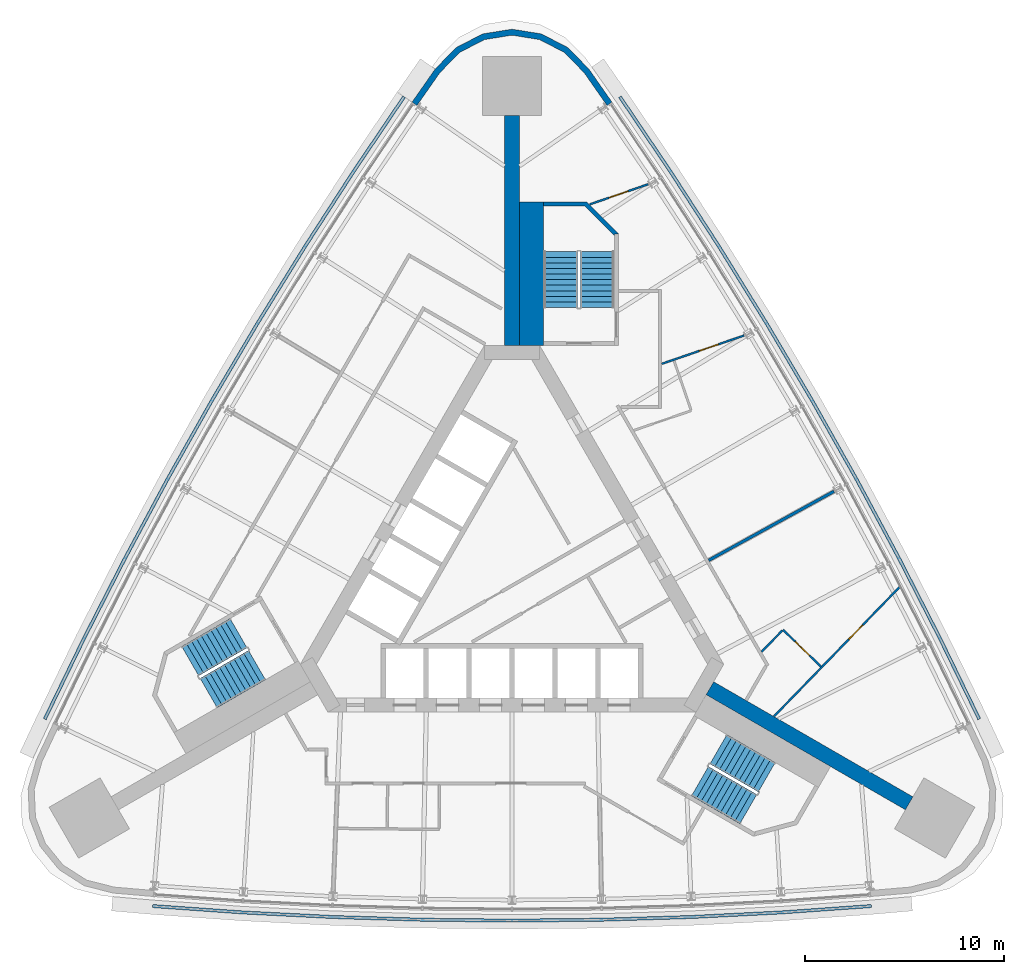
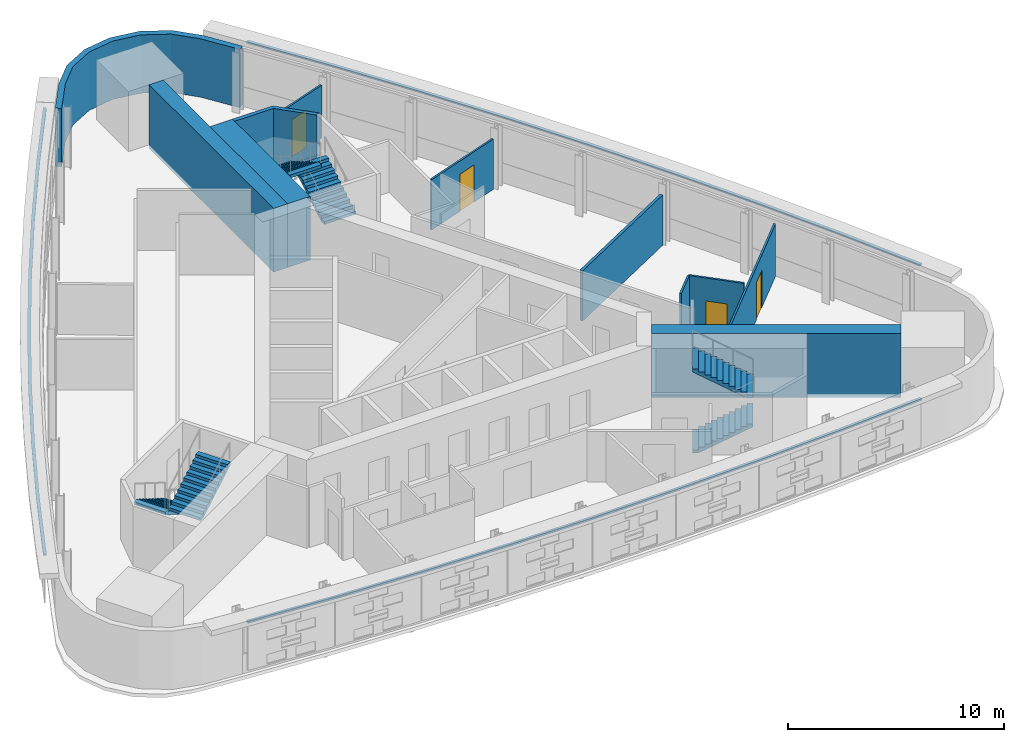
# One storey, part 9 of 11: 11 walls, 6 stair flights, 4 doors, 3 discrete accessories, 4 openings, 3 elements without a shape of their own.
"""IFC4 building model written with IfcOpenShell, lengths in metres."""

from ifc_helpers import new_model, si_unit, direction, frame, frame_2d, origin, place, context, subcontext, project, spatial, polyline, rectangle, outline, extrude, material, layer, layer_set, type_object, element, fill, aggregate, save


model = new_model("IFC4")

# Units and contexts
model_context = context("Model", 3, precision=1e-05, world=origin(), true_north=direction((0.0, 1.0)))
body_context = subcontext(model_context, "Body", "Model", "MODEL_VIEW")
ifc_project = project(units=[si_unit("LENGTHUNIT", "METRE"), si_unit("AREAUNIT", "SQUARE_METRE"), si_unit("VOLUMEUNIT", "CUBIC_METRE"), si_unit("PLANEANGLEUNIT", "RADIAN"), si_unit("MASSUNIT", "GRAM", prefix="KILO")], contexts=[model_context])

# Site, building, storey
site_placement = place(None, origin())
site = spatial("IfcSite", under=ifc_project, at=site_placement, CompositionType="ELEMENT")
building_placement = place(site_placement, origin())
building = spatial("IfcBuilding", under=site, at=building_placement, Name="Noor Cloister Tower", CompositionType="ELEMENT")
storey_placement = place(building_placement, frame((0.0, 0.0, 116.699951171875)))
storey = spatial("IfcBuildingStorey", under=building, at=storey_placement, Name="L30", CompositionType="ELEMENT", Elevation=116.699951171875)

# Walls
ifc_material_1 = material(Name="Concrete C80/95", Category="concrete")
ifc_layer_1 = layer(ifc_material_1, 0.75)
ifc_layer_set_1 = layer_set([ifc_layer_1], Name="Buttress wall 750 C80/95")
wall_type_1 = type_object("IfcWallType", Name="Buttress wall 750 C80/95", PredefinedType="SHEAR", material=ifc_layer_set_1)
wall_1_placement = place(storey_placement, frame((0.0, 11.456298828125, -0.199951171875), z_axis=(0.0, 0.0, 1.0), x_axis=(0.0, 1.0, 0.0)))
element("IfcWall", 1, at=wall_1_placement, inside=storey, type_object=wall_type_1, Name="Buttress wall N L30", PredefinedType="SHEAR", context=body_context, shape_type="SweptSolid", body=[
    extrude(rectangle(XDim=11.538818359375, YDim=0.75, at=frame_2d((5.76953125, 0.0))), origin(), (0.0, 0.0, 1.0), 3.60009765625),
])
wall_2_placement = place(storey_placement, frame((9.921630859375, -5.728271484375, -0.199951171875), z_axis=(0.0, 0.0, 1.0), x_axis=(0.866024913782, -0.500000848707, 0.0)))
element("IfcWall", 2, at=wall_2_placement, inside=storey, type_object=wall_type_1, Name="Buttress wall SE L30", PredefinedType="SHEAR", context=body_context, shape_type="SweptSolid", body=[
    extrude(rectangle(XDim=11.53857421875, YDim=0.75, at=frame_2d((5.769287109375, 0.0))), origin(), (0.0, 0.0, 1.0), 3.60009765625),
])
ifc_material_2 = material(Name="Gypsum board partition on steel studs, 150 mm", Category="steel")
ifc_layer_2 = layer(ifc_material_2, 0.14990234375)
ifc_layer_set_2 = layer_set([ifc_layer_2], Name="Flat wall 150")
wall_type_2 = type_object("IfcWallType", Name="Flat wall 150", PredefinedType="PARTITIONING", material=ifc_layer_set_2)
wall_3_placement = place(storey_placement, frame((16.14453125, 4.14404296875, 0.0), z_axis=(0.0, 0.0, 1.0), x_axis=(-0.875990246448, -0.482328817434, 0.0)))
element("IfcWall", 3, at=wall_3_placement, inside=storey, type_object=wall_type_2, Name="Flat wall 150 L30 016", PredefinedType="PARTITIONING", context=body_context, shape_type="SweptSolid", body=[
    extrude(rectangle(XDim=7.175537109375, YDim=0.14990234375, at=frame_2d((3.587890625, 0.0))), origin(), (0.0, 0.0, 1.0), 2.84716796875),
])
ifc_material_3 = material(Name="Limestone", Category="masonry")
ifc_layer_3 = layer(ifc_material_3, 0.300048828125)
ifc_layer_set_3 = layer_set([ifc_layer_3], Name="Limestone cladding 300")
wall_type_3 = type_object("IfcWallType", Name="Limestone cladding 300", PredefinedType="NOTDEFINED", material=ifc_layer_set_3)
wall_4_placement = place(storey_placement, origin())
element("IfcWall", 4, at=wall_4_placement, inside=storey, type_object=wall_type_3, Name="Limestone pier cladding L30 3.1", PredefinedType="NOTDEFINED", context=body_context, shape_type="SweptSolid", body=[
    extrude(outline(polyline([(5.0126953125, 23.65576171875), (3.853271484375, 25.31689453125), (2.807373046875, 26.38818359375), (1.478271484375, 27.07763671875), (0.0, 27.3154296875), (-1.478271484375, 27.07763671875), (-2.807373046875, 26.38818359375), (-3.853271484375, 25.31689453125), (-5.0126953125, 23.65576171875), (-4.7666015625, 23.484130859375), (-3.621337890625, 25.125), (-2.62646484375, 26.14404296875), (-1.3828125, 26.7890625), (0.0, 27.011474609375), (1.3828125, 26.7890625), (2.62646484375, 26.14404296875), (3.621337890625, 25.125), (4.7666015625, 23.484130859375), (5.0126953125, 23.65576171875)])), origin(), (0.0, 0.0, 1.0), 3.300048828125),
])

# Wall, opening, door
ifc_material_4 = material(Name="Gypsum board partition on steel studs, 100 mm", Category="steel")
ifc_layer_4 = layer(ifc_material_4, 0.10009765625)
ifc_layer_set_4 = layer_set([ifc_layer_4], Name="Partition 100")
wall_type_4 = type_object("IfcWallType", Name="Partition 100", PredefinedType="PARTITIONING", material=ifc_layer_set_4)
wall_5_placement = place(storey_placement, frame((19.424560546875, -0.662353515625, 0.0), z_axis=(0.0, 0.0, 1.0), x_axis=(-0.696698602336, -0.717363964458, 0.0)))
wall_5 = element("IfcWall", 5, at=wall_5_placement, inside=storey, type_object=wall_type_4, Name="Partition 100 L30 021", PredefinedType="PARTITIONING", context=body_context, shape_type="SweptSolid", body=[
    extrude(rectangle(XDim=9.02587890625, YDim=0.10009765625, at=frame_2d((4.512939453125, 0.0))), origin(), (0.0, 0.0, 1.0), 2.97412109375),
])
opening_1_placement = place(wall_5_placement, frame((2.642578125, 0.0, 0.0)))
opening_1 = element("IfcOpeningElement", 6, at=opening_1_placement, cuts=wall_5, Name="Opening L30-012", PredefinedType="OPENING", context=body_context, shape_type="SweptSolid", body=[
    extrude(rectangle(XDim=1.0, YDim=2.10009765625, at=frame_2d((0.5, 1.050048828125))), frame((0.0, 0.06005859375, 0.0), z_axis=(0.0, -1.0, 0.0), x_axis=(1.0, 0.0, 0.0)), (0.0, 0.0, 1.0), 0.1201171875),
])
ifc_material_5 = material(Name="Timber door leaf with steel frame", Category="steel")
door_type = type_object("IfcDoorType", Name="Interior door 1000", OperationType="NOTDEFINED", PredefinedType="DOOR", material=ifc_material_5)
door_1_placement = place(opening_1_placement, origin())
door_1 = element("IfcDoor", 7, at=door_1_placement, inside=storey, type_object=door_type, Name="Interior door 1000 L30-012", OperationType="SINGLE_SWING_LEFT", OverallHeight=2.10009765625, OverallWidth=1.0, PredefinedType="DOOR", context=body_context, shape_type="SweptSolid", body=[
    extrude(rectangle(XDim=1.0, YDim=2.10009765625, at=frame_2d((0.5, 1.050048828125))), frame((0.0, 0.02490234375, 0.0), z_axis=(0.0, -1.0, 0.0), x_axis=(1.0, 0.0, 0.0)), (0.0, 0.0, 1.0), 0.050048828125),
])
fill(opening_1, door_1)

wall_6_placement = place(storey_placement, frame((7.501953125, 10.53369140625, 0.0), z_axis=(0.0, 0.0, 1.0), x_axis=(0.945553375074, 0.325467071893, 0.0)))
wall_6 = element("IfcWall", 8, at=wall_6_placement, inside=storey, type_object=wall_type_4, Name="Partition 100 L30 023", PredefinedType="PARTITIONING", context=body_context, shape_type="SweptSolid", body=[
    extrude(rectangle(XDim=4.36865234375, YDim=0.10009765625, at=frame_2d((2.184326171875, 0.0))), origin(), (0.0, 0.0, 1.0), 2.84716796875),
])
opening_2_placement = place(wall_6_placement, frame((1.998291015625, 0.0, 0.0)))
opening_2 = element("IfcOpeningElement", 9, at=opening_2_placement, cuts=wall_6, Name="Opening L30-013", PredefinedType="OPENING", context=body_context, shape_type="SweptSolid", body=[
    extrude(rectangle(XDim=1.0, YDim=2.10009765625, at=frame_2d((0.5, 1.050048828125))), frame((0.0, 0.06005859375, 0.0), z_axis=(0.0, -1.0, 0.0), x_axis=(1.0, 0.0, 0.0)), (0.0, 0.0, 1.0), 0.1201171875),
])
door_2_placement = place(opening_2_placement, origin())
door_2 = element("IfcDoor", 10, at=door_2_placement, inside=storey, type_object=door_type, Name="Interior door 1000 L30-013", OperationType="SINGLE_SWING_RIGHT", OverallHeight=2.10009765625, OverallWidth=1.0, PredefinedType="DOOR", context=body_context, shape_type="SweptSolid", body=[
    extrude(rectangle(XDim=1.0, YDim=2.10009765625, at=frame_2d((0.5, 1.050048828125))), frame((0.0, 0.02490234375, 0.0), z_axis=(0.0, -1.0, 0.0), x_axis=(1.0, 0.0, 0.0)), (0.0, 0.0, 1.0), 0.050048828125),
])
fill(opening_2, door_2)

wall_7_placement = place(storey_placement, frame((3.893310546875, 18.529541015625, 0.0), z_axis=(0.0, 0.0, 1.0), x_axis=(0.945532429383, 0.325527917366, 0.0)))
wall_7 = element("IfcWall", 11, at=wall_7_placement, inside=storey, type_object=wall_type_4, Name="Partition 100 L30 024", PredefinedType="PARTITIONING", context=body_context, shape_type="SweptSolid", body=[
    extrude(rectangle(XDim=3.105712890625, YDim=0.10009765625, at=frame_2d((1.552734375, 0.0))), origin(), (0.0, 0.0, 1.0), 2.97412109375),
])
opening_3_placement = place(wall_7_placement, frame((1.04052734375, 0.0, 0.0)))
opening_3 = element("IfcOpeningElement", 12, at=opening_3_placement, cuts=wall_7, Name="Opening L30-014", PredefinedType="OPENING", context=body_context, shape_type="SweptSolid", body=[
    extrude(rectangle(XDim=1.0, YDim=2.10009765625, at=frame_2d((0.5, 1.050048828125))), frame((0.0, 0.06005859375, 0.0), z_axis=(0.0, -1.0, 0.0), x_axis=(1.0, 0.0, 0.0)), (0.0, 0.0, 1.0), 0.1201171875),
])
door_3_placement = place(opening_3_placement, origin())
door_3 = element("IfcDoor", 13, at=door_3_placement, inside=storey, type_object=door_type, Name="Interior door 1000 L30-014", OperationType="SINGLE_SWING_LEFT", OverallHeight=2.10009765625, OverallWidth=1.0, PredefinedType="DOOR", context=body_context, shape_type="SweptSolid", body=[
    extrude(rectangle(XDim=1.0, YDim=2.10009765625, at=frame_2d((0.5, 1.050048828125))), frame((0.0, 0.02490234375, 0.0), z_axis=(0.0, -1.0, 0.0), x_axis=(1.0, 0.0, 0.0)), (0.0, 0.0, 1.0), 0.050048828125),
])
fill(opening_3, door_3)

wall_8_placement = place(storey_placement, frame((15.489013671875, -4.642578125, 0.0), z_axis=(0.0, 0.0, 1.0), x_axis=(-0.717350421595, 0.696712546635, 0.0)))
wall_8 = element("IfcWall", 14, at=wall_8_placement, inside=storey, type_object=wall_type_4, Name="Partition 100 L30 027", PredefinedType="PARTITIONING", context=body_context, shape_type="SweptSolid", body=[
    extrude(rectangle(XDim=2.64990234375, YDim=0.10009765625, at=frame_2d((1.324951171875, 0.0))), origin(), (0.0, 0.0, 1.0), 3.400146484375),
])
opening_4_placement = place(wall_8_placement, frame((0.800048828125, 0.0, 0.0)))
opening_4 = element("IfcOpeningElement", 15, at=opening_4_placement, cuts=wall_8, Name="Opening L30-016", PredefinedType="OPENING", context=body_context, shape_type="SweptSolid", body=[
    extrude(rectangle(XDim=1.0, YDim=2.10009765625, at=frame_2d((0.5, 1.050048828125))), frame((0.0, 0.06005859375, 0.0), z_axis=(0.0, -1.0, 0.0), x_axis=(1.0, 0.0, 0.0)), (0.0, 0.0, 1.0), 0.1201171875),
])
door_4_placement = place(opening_4_placement, origin())
door_4 = element("IfcDoor", 16, at=door_4_placement, inside=storey, type_object=door_type, Name="Interior door 1000 L30-016", OperationType="SINGLE_SWING_LEFT", OverallHeight=2.10009765625, OverallWidth=1.0, PredefinedType="DOOR", context=body_context, shape_type="SweptSolid", body=[
    extrude(rectangle(XDim=1.0, YDim=2.10009765625, at=frame_2d((0.5, 1.050048828125))), frame((0.0, 0.02490234375, 0.0), z_axis=(0.0, -1.0, 0.0), x_axis=(1.0, 0.0, 0.0)), (0.0, 0.0, 1.0), 0.050048828125),
])
fill(opening_4, door_4)

# Walls
wall_9_placement = place(storey_placement, frame((12.51806640625, -3.898193359375, 0.0), z_axis=(0.0, 0.0, 1.0), x_axis=(0.69667940227, 0.717382610922, 0.0)))
element("IfcWall", 17, at=wall_9_placement, inside=storey, type_object=wall_type_4, Name="Partition 100 L30 030", PredefinedType="PARTITIONING", context=body_context, shape_type="SweptSolid", body=[
    extrude(rectangle(XDim=1.48583984375, YDim=0.10009765625, at=frame_2d((0.742919921875, 0.0))), origin(), (0.0, 0.0, 1.0), 3.400146484375),
])
ifc_material_6 = material(Name="Concrete C80/95", Category="concrete")
ifc_layer_5 = layer(ifc_material_6, 1.2109375)
ifc_layer_set_5 = layer_set([ifc_layer_5], Name="Stair enclosure wall 1211 C80/95")
wall_type_5 = type_object("IfcWallType", Name="Stair enclosure wall 1211 C80/95", PredefinedType="SHEAR", material=ifc_layer_set_5)
wall_10_placement = place(storey_placement, frame((0.980224609375, 11.456298828125, -0.199951171875), z_axis=(0.0, 0.0, 1.0), x_axis=(0.0, 1.0, 0.0)))
element("IfcWall", 18, at=wall_10_placement, inside=storey, type_object=wall_type_5, Name="Stair enclosure wall ST1 L30 riser side", PredefinedType="SHEAR", context=body_context, shape_type="SweptSolid", body=[
    extrude(rectangle(XDim=7.2001953125, YDim=1.210693359375, at=frame_2d((3.60009765625, 0.0))), origin(), (0.0, 0.0, 1.0), 3.60009765625),
])
ifc_material_7 = material(Name="Concrete C80/95", Category="concrete")
wall_type_6 = type_object("IfcWallType", Name="Stair far end wall C80/95", PredefinedType="SHEAR", material=ifc_material_7)
wall_11_placement = place(storey_placement, frame((0.0, 0.0, -0.199951171875)))
element("IfcWall", 19, at=wall_11_placement, inside=storey, type_object=wall_type_6, Name="Stair enclosure wall ST1 L30 far end", PredefinedType="SHEAR", context=body_context, shape_type="SweptSolid", body=[
    extrude(outline(polyline([(5.335693359375, 17.056396484375), (3.735595703125, 18.656494140625), (1.585693359375, 18.656494140625), (1.585693359375, 18.456298828125), (3.65283203125, 18.456298828125), (5.135498046875, 16.9736328125), (5.135498046875, 17.056396484375), (5.135498046875, 17.056396484375), (5.135498046875, 17.056396484375), (5.135498046875, 17.056396484375), (5.135498046875, 17.056396484375), (5.135498046875, 17.056396484375), (5.135498046875, 17.056396484375), (5.135498046875, 17.056396484375), (5.135498046875, 17.056396484375), (5.135498046875, 17.056396484375), (5.135498046875, 17.056396484375), (5.135498046875, 17.056396484375), (5.135498046875, 17.056396484375), (5.135498046875, 17.056396484375), (5.135498046875, 17.056396484375), (5.135498046875, 17.056396484375), (5.135498046875, 17.056396484375), (5.335693359375, 17.056396484375)])), origin(), (0.0, 0.0, 1.0), 3.60009765625),
])

# Stair, stair flights
ifc_material_8 = material(Name="Concrete C40/50", Category="concrete")
stair_type = type_object("IfcStairType", Name="Exit stair 22 risers", PredefinedType="HALF_TURN_STAIR", material=ifc_material_8)
stair_1_placement = place(storey_placement, origin())
stair_1 = element("IfcStair", 20, at=stair_1_placement, inside=storey, type_object=stair_type, Name="Exit stair ST1 L30", PredefinedType="HALF_TURN_STAIR")
ifc_material_9 = material(Name="Concrete C40/50", Category="concrete")
stair_flight_type = type_object("IfcStairFlightType", Name="Exit stair flight", PredefinedType="STRAIGHT", material=ifc_material_9)
stair_flight_1_placement = place(storey_placement, frame((4.28564453125, 13.3564453125, 0.0), z_axis=(0.0, 0.0, 1.0), x_axis=(0.0, 1.0, 0.0)))
stair_flight_1 = element("IfcStairFlight", 21, at=stair_flight_1_placement, type_object=stair_flight_type, Name="ST1 flight 1", NumberOfRisers=11, NumberOfTreads=10, PredefinedType="STRAIGHT", RiserHeight=0.163636364, TreadLength=0.28, context=body_context, shape_type="SweptSolid", body=[
    extrude(outline(polyline([(0.0, 0.0), (0.0, 0.16357421875), (0.280029296875, 0.16357421875), (0.280029296875, 0.327392578125), (0.56005859375, 0.327392578125), (0.56005859375, 0.490966796875), (0.840087890625, 0.490966796875), (0.840087890625, 0.654541015625), (1.1201171875, 0.654541015625), (1.1201171875, 0.818115234375), (1.39990234375, 0.818115234375), (1.39990234375, 0.98193359375), (1.679931640625, 0.98193359375), (1.679931640625, 1.1455078125), (1.9599609375, 1.1455078125), (1.9599609375, 1.30908203125), (2.239990234375, 1.30908203125), (2.239990234375, 1.47265625), (2.52001953125, 1.47265625), (2.52001953125, 1.636474609375), (2.800048828125, 1.636474609375), (2.800048828125, 1.800048828125), (2.800048828125, 1.462646484375), (0.297119140625, 0.0), (0.0, 0.0)])), frame((0.0, 0.85009765625, 0.0), z_axis=(0.0, -1.0, 0.0), x_axis=(1.0, 0.0, 0.0)), (0.0, 0.0, 1.0), 1.699951171875),
])
stair_flight_2_placement = place(storey_placement, frame((2.435546875, 16.156494140625, 1.800048828125), z_axis=(0.0, 0.0, 1.0), x_axis=(0.0, -1.0, 0.0)))
stair_flight_2 = element("IfcStairFlight", 22, at=stair_flight_2_placement, type_object=stair_flight_type, Name="ST1 flight 2", NumberOfRisers=11, NumberOfTreads=10, PredefinedType="STRAIGHT", RiserHeight=0.163636364, TreadLength=0.28, context=body_context, shape_type="SweptSolid", body=[
    extrude(outline(polyline([(0.0, 0.0), (0.0, 0.16357421875), (0.280029296875, 0.16357421875), (0.280029296875, 0.327392578125), (0.56005859375, 0.327392578125), (0.56005859375, 0.490966796875), (0.840087890625, 0.490966796875), (0.840087890625, 0.654541015625), (1.1201171875, 0.654541015625), (1.1201171875, 0.818115234375), (1.39990234375, 0.818115234375), (1.39990234375, 0.98193359375), (1.679931640625, 0.98193359375), (1.679931640625, 1.1455078125), (1.9599609375, 1.1455078125), (1.9599609375, 1.30908203125), (2.239990234375, 1.30908203125), (2.239990234375, 1.47265625), (2.52001953125, 1.47265625), (2.52001953125, 1.636474609375), (2.800048828125, 1.636474609375), (2.800048828125, 1.800048828125), (2.800048828125, 1.462646484375), (0.297119140625, 0.0), (0.0, 0.0)])), frame((0.0, 0.85009765625, 0.0), z_axis=(0.0, -1.0, 0.0), x_axis=(1.0, 0.0, 0.0)), (0.0, 0.0, 1.0), 1.699951171875),
])
aggregate(stair_1, [stair_flight_1, stair_flight_2])

stair_2_placement = place(storey_placement, origin())
stair_2 = element("IfcStair", 23, at=stair_2_placement, inside=storey, type_object=stair_type, Name="Exit stair ST2 L30", PredefinedType="HALF_TURN_STAIR")
stair_flight_3_placement = place(storey_placement, frame((-13.709716796875, -2.966796875, 0.0), z_axis=(0.0, 0.0, 1.0), x_axis=(-0.866025403784, -0.5, 0.0)))
stair_flight_3 = element("IfcStairFlight", 24, at=stair_flight_3_placement, type_object=stair_flight_type, Name="ST2 flight 1", NumberOfRisers=11, NumberOfTreads=10, PredefinedType="STRAIGHT", RiserHeight=0.163636364, TreadLength=0.28, context=body_context, shape_type="SweptSolid", body=[
    extrude(outline(polyline([(0.0, 0.0), (0.0, 0.16357421875), (0.280029296875, 0.16357421875), (0.280029296875, 0.327392578125), (0.56005859375, 0.327392578125), (0.56005859375, 0.490966796875), (0.840087890625, 0.490966796875), (0.840087890625, 0.654541015625), (1.1201171875, 0.654541015625), (1.1201171875, 0.818115234375), (1.39990234375, 0.818115234375), (1.39990234375, 0.98193359375), (1.679931640625, 0.98193359375), (1.679931640625, 1.1455078125), (1.9599609375, 1.1455078125), (1.9599609375, 1.30908203125), (2.239990234375, 1.30908203125), (2.239990234375, 1.47265625), (2.52001953125, 1.47265625), (2.52001953125, 1.636474609375), (2.800048828125, 1.636474609375), (2.800048828125, 1.800048828125), (2.800048828125, 1.462646484375), (0.297119140625, 0.0), (0.0, 0.0)])), frame((0.0, 0.85009765625, 0.0), z_axis=(0.0, -1.0, 0.0), x_axis=(1.0, 0.0, 0.0)), (0.0, 0.0, 1.0), 1.699951171875),
])
stair_flight_4_placement = place(storey_placement, frame((-15.209716796875, -5.968994140625, 1.800048828125), z_axis=(0.0, 0.0, 1.0), x_axis=(0.866025403784, 0.5, 0.0)))
stair_flight_4 = element("IfcStairFlight", 25, at=stair_flight_4_placement, type_object=stair_flight_type, Name="ST2 flight 2", NumberOfRisers=11, NumberOfTreads=10, PredefinedType="STRAIGHT", RiserHeight=0.163636364, TreadLength=0.28, context=body_context, shape_type="SweptSolid", body=[
    extrude(outline(polyline([(0.0, 0.0), (0.0, 0.16357421875), (0.280029296875, 0.16357421875), (0.280029296875, 0.327392578125), (0.56005859375, 0.327392578125), (0.56005859375, 0.490966796875), (0.840087890625, 0.490966796875), (0.840087890625, 0.654541015625), (1.1201171875, 0.654541015625), (1.1201171875, 0.818115234375), (1.39990234375, 0.818115234375), (1.39990234375, 0.98193359375), (1.679931640625, 0.98193359375), (1.679931640625, 1.1455078125), (1.9599609375, 1.1455078125), (1.9599609375, 1.30908203125), (2.239990234375, 1.30908203125), (2.239990234375, 1.47265625), (2.52001953125, 1.47265625), (2.52001953125, 1.636474609375), (2.800048828125, 1.636474609375), (2.800048828125, 1.800048828125), (2.800048828125, 1.462646484375), (0.297119140625, 0.0), (0.0, 0.0)])), frame((0.0, 0.85009765625, 0.0), z_axis=(0.0, -1.0, 0.0), x_axis=(1.0, 0.0, 0.0)), (0.0, 0.0, 1.0), 1.699951171875),
])
aggregate(stair_2, [stair_flight_3, stair_flight_4])

stair_3_placement = place(storey_placement, origin())
stair_3 = element("IfcStair", 26, at=stair_3_placement, inside=storey, type_object=stair_type, Name="Exit stair ST3 L30", PredefinedType="HALF_TURN_STAIR")
stair_flight_5_placement = place(storey_placement, frame((9.424072265625, -10.3896484375, 0.0), z_axis=(0.0, 0.0, 1.0), x_axis=(0.866025403784, -0.5, 0.0)))
stair_flight_5 = element("IfcStairFlight", 27, at=stair_flight_5_placement, type_object=stair_flight_type, Name="ST3 flight 1", NumberOfRisers=11, NumberOfTreads=10, PredefinedType="STRAIGHT", RiserHeight=0.163636364, TreadLength=0.28, context=body_context, shape_type="SweptSolid", body=[
    extrude(outline(polyline([(0.0, 0.0), (0.0, 0.16357421875), (0.280029296875, 0.16357421875), (0.280029296875, 0.327392578125), (0.56005859375, 0.327392578125), (0.56005859375, 0.490966796875), (0.840087890625, 0.490966796875), (0.840087890625, 0.654541015625), (1.1201171875, 0.654541015625), (1.1201171875, 0.818115234375), (1.39990234375, 0.818115234375), (1.39990234375, 0.98193359375), (1.679931640625, 0.98193359375), (1.679931640625, 1.1455078125), (1.9599609375, 1.1455078125), (1.9599609375, 1.30908203125), (2.239990234375, 1.30908203125), (2.239990234375, 1.47265625), (2.52001953125, 1.47265625), (2.52001953125, 1.636474609375), (2.800048828125, 1.636474609375), (2.800048828125, 1.800048828125), (2.800048828125, 1.462646484375), (0.297119140625, 0.0), (0.0, 0.0)])), frame((0.0, 0.85009765625, 0.0), z_axis=(0.0, -1.0, 0.0), x_axis=(1.0, 0.0, 0.0)), (0.0, 0.0, 1.0), 1.699951171875),
])
stair_flight_6_placement = place(storey_placement, frame((12.77392578125, -10.1875, 1.800048828125), z_axis=(0.0, 0.0, 1.0), x_axis=(-0.866025403784, 0.5, 0.0)))
stair_flight_6 = element("IfcStairFlight", 28, at=stair_flight_6_placement, type_object=stair_flight_type, Name="ST3 flight 2", NumberOfRisers=11, NumberOfTreads=10, PredefinedType="STRAIGHT", RiserHeight=0.163636364, TreadLength=0.28, context=body_context, shape_type="SweptSolid", body=[
    extrude(outline(polyline([(0.0, 0.0), (0.0, 0.16357421875), (0.280029296875, 0.16357421875), (0.280029296875, 0.327392578125), (0.56005859375, 0.327392578125), (0.56005859375, 0.490966796875), (0.840087890625, 0.490966796875), (0.840087890625, 0.654541015625), (1.1201171875, 0.654541015625), (1.1201171875, 0.818115234375), (1.39990234375, 0.818115234375), (1.39990234375, 0.98193359375), (1.679931640625, 0.98193359375), (1.679931640625, 1.1455078125), (1.9599609375, 1.1455078125), (1.9599609375, 1.30908203125), (2.239990234375, 1.30908203125), (2.239990234375, 1.47265625), (2.52001953125, 1.47265625), (2.52001953125, 1.636474609375), (2.800048828125, 1.636474609375), (2.800048828125, 1.800048828125), (2.800048828125, 1.462646484375), (0.297119140625, 0.0), (0.0, 0.0)])), frame((0.0, 0.85009765625, 0.0), z_axis=(0.0, -1.0, 0.0), x_axis=(1.0, 0.0, 0.0)), (0.0, 0.0, 1.0), 1.699951171875),
])
aggregate(stair_3, [stair_flight_5, stair_flight_6])

# Discrete accessories
ifc_material_10 = material(Name="Stainless steel grade 316", Category="steel")
discrete_accessory_type = type_object("IfcDiscreteAccessoryType", Name="Stainless hanger rail", PredefinedType="BRACKET", material=ifc_material_10)
discrete_accessory_1_placement = place(storey_placement, frame((0.0, 0.0, 3.199951171875)))
element("IfcDiscreteAccessory", 29, at=discrete_accessory_1_placement, inside=storey, type_object=discrete_accessory_type, Name="Hanger rail L30", PredefinedType="BRACKET", context=body_context, shape_type="SweptSolid", body=[
    extrude(outline(polyline([(-5.4765625, 23.969482421875), (-8.00048828125, 20.2373046875), (-10.451416015625, 16.44970703125), (-12.824951171875, 12.61328125), (-15.1201171875, 8.7294921875), (-17.3359375, 4.800048828125), (-19.4716796875, 0.826171875), (-21.5263671875, -3.18994140625), (-23.496337890625, -7.241943359375), (-23.3525390625, -7.31201171875), (-21.383056640625, -3.261474609375), (-19.330078125, 0.751953125), (-17.19580078125, 4.722900390625), (-14.9814453125, 8.649658203125), (-12.68798828125, 12.530517578125), (-10.316162109375, 16.3642578125), (-7.8671875, 20.14892578125), (-5.343994140625, 23.8798828125), (-5.4765625, 23.969482421875)])), origin(), (0.0, 0.0, 1.0), 0.10009765625),
])
discrete_accessory_2_placement = place(storey_placement, frame((0.0, 0.0, 3.199951171875)))
element("IfcDiscreteAccessory", 30, at=discrete_accessory_2_placement, inside=storey, type_object=discrete_accessory_type, Name="Hanger rail L30", PredefinedType="BRACKET", context=body_context, shape_type="SweptSolid", body=[
    extrude(outline(polyline([(-18.02001953125, -16.7275390625), (-13.525634765625, -17.04736328125), (-9.020263671875, -17.276123046875), (-4.510986328125, -17.413330078125), (0.0, -17.459228515625), (4.510986328125, -17.413330078125), (9.020263671875, -17.276123046875), (13.525634765625, -17.04736328125), (18.02001953125, -16.7275390625), (18.008544921875, -16.56787109375), (13.51611328125, -16.8876953125), (9.013671875, -17.1162109375), (4.5078125, -17.25341796875), (0.0, -17.299072265625), (-4.5078125, -17.25341796875), (-9.013671875, -17.1162109375), (-13.51611328125, -16.8876953125), (-18.008544921875, -16.56787109375), (-18.02001953125, -16.7275390625)])), origin(), (0.0, 0.0, 1.0), 0.10009765625),
])
discrete_accessory_3_placement = place(storey_placement, frame((0.0, 0.0, 3.199951171875)))
element("IfcDiscreteAccessory", 31, at=discrete_accessory_3_placement, inside=storey, type_object=discrete_accessory_type, Name="Hanger rail L30", PredefinedType="BRACKET", context=body_context, shape_type="SweptSolid", body=[
    extrude(outline(polyline([(23.496337890625, -7.241943359375), (21.5263671875, -3.18994140625), (19.4716796875, 0.826171875), (17.3359375, 4.800048828125), (15.1201171875, 8.7294921875), (12.824951171875, 12.61328125), (10.451416015625, 16.44970703125), (8.00048828125, 20.2373046875), (5.4765625, 23.969482421875), (5.343994140625, 23.8798828125), (7.8671875, 20.14892578125), (10.316162109375, 16.3642578125), (12.68798828125, 12.530517578125), (14.9814453125, 8.649658203125), (17.19580078125, 4.722900390625), (19.330078125, 0.751953125), (21.383056640625, -3.261474609375), (23.3525390625, -7.31201171875), (23.496337890625, -7.241943359375)])), origin(), (0.0, 0.0, 1.0), 0.10009765625),
])

save(model, "model.ifc")
